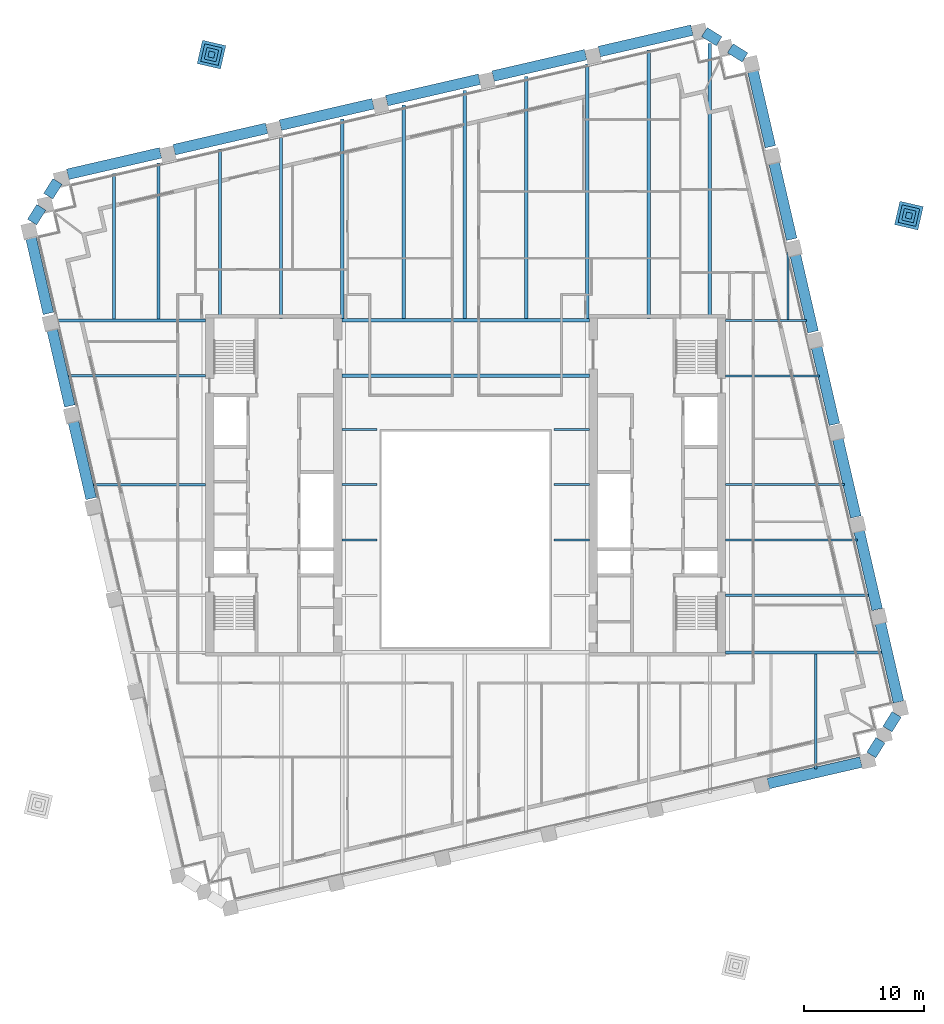
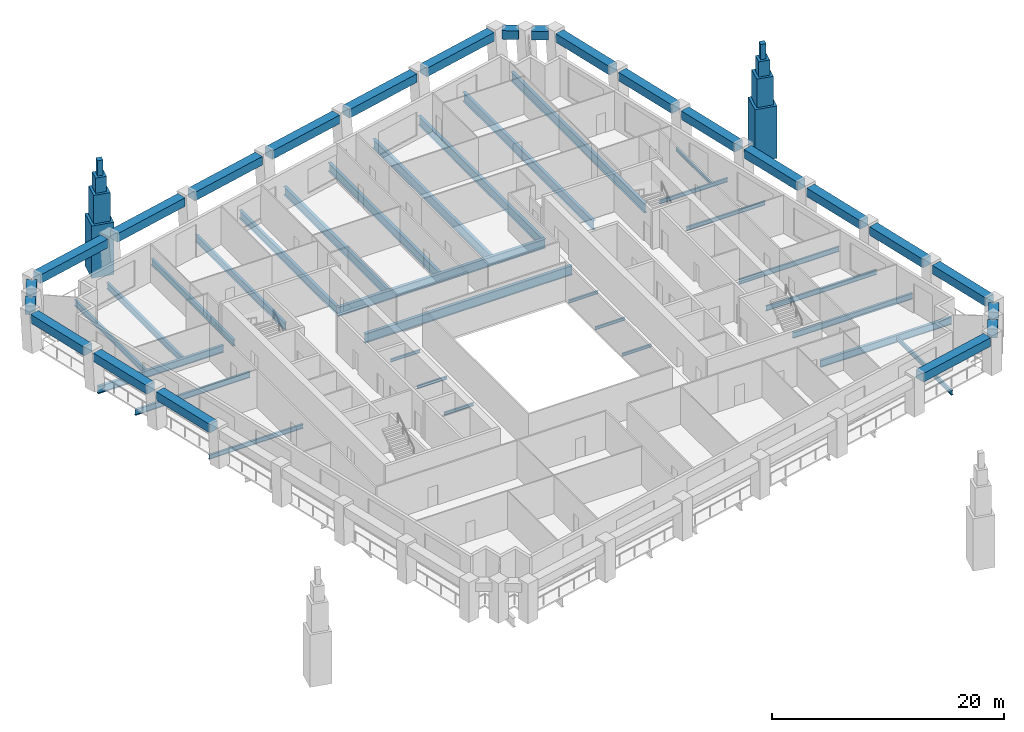
# One storey, part 2 of 10: 53 beams, 8 members.
"""IFC4 building model written with IfcOpenShell, lengths in metres."""

from ifc_helpers import new_model, si_unit, direction, frame, origin, origin_2d, place, context, subcontext, project, spatial, rectangle, i_section, extrude, material, material_profile, profile_set, type_object, element, save


model = new_model("IFC4")

# Units and contexts
model_context = context("Model", 3, precision=1e-05, world=origin(), true_north=direction((0.0, 1.0)))
body_context = subcontext(model_context, "Body", "Model", "MODEL_VIEW")
ifc_project = project(units=[si_unit("LENGTHUNIT", "METRE"), si_unit("AREAUNIT", "SQUARE_METRE"), si_unit("VOLUMEUNIT", "CUBIC_METRE"), si_unit("PLANEANGLEUNIT", "RADIAN"), si_unit("MASSUNIT", "GRAM", prefix="KILO")], contexts=[model_context])

# Site, building, storey
site_placement = place(None, origin())
site = spatial("IfcSite", under=ifc_project, at=site_placement, CompositionType="ELEMENT")
building_placement = place(site_placement, origin())
building = spatial("IfcBuilding", under=site, at=building_placement, Name="Ogive Exchange Tower", CompositionType="ELEMENT")
storey_placement = place(building_placement, frame((0.0, 0.0, 171.60009765625)))
storey = spatial("IfcBuildingStorey", under=building, at=storey_placement, Name="L37", CompositionType="ELEMENT", Elevation=171.60009765625)

# Beams
ifc_material_1 = material(Name="Steel ASTM A992 Gr50", Category="steel")
ifc_material_profile_1 = material_profile(ifc_material_1, i_section(OverallWidth=0.300048828125, OverallDepth=0.969970703125, WebThickness=0.01611328125, FlangeThickness=0.02099609375, at=origin_2d()), Name="W1000x222")
ifc_profile_set_1 = profile_set([ifc_material_profile_1], Name="Steel ASTM A992 Gr50")
beam_type_1 = type_object("IfcBeamType", Name="Floor beam W1000x222", PredefinedType="JOIST", material=ifc_profile_set_1)
beam_1_placement = place(storey_placement, frame((5.052734375, 25.39501953125, -0.68505859375), z_axis=(0.0, 1.0, 0.0), x_axis=(-1.0, 0.0, 0.0)))
element("IfcBeam", 1, at=beam_1_placement, inside=storey, type_object=beam_type_1, Name="Floor beam", PredefinedType="JOIST", context=body_context, shape_type="SweptSolid", body=[
    extrude(i_section(OverallWidth=0.300048828125, OverallDepth=0.969970703125, WebThickness=0.01611328125, FlangeThickness=0.02099609375, at=origin_2d()), origin(), (0.0, 0.0, 1.0), 20.18994140625),
])
ifc_material_profile_2 = material_profile(ifc_material_1, i_section(OverallWidth=0.300048828125, OverallDepth=0.97998046875, WebThickness=0.0166015625, FlangeThickness=0.026123046875, at=origin_2d()), Name="W1000x249")
ifc_profile_set_2 = profile_set([ifc_material_profile_2], Name="Steel ASTM A992 Gr50")
beam_type_2 = type_object("IfcBeamType", Name="Floor beam W1000x249", PredefinedType="JOIST", material=ifc_profile_set_2)
beam_2_placement = place(storey_placement, frame((-10.320068359375, 20.62255859375, -0.690185546875), z_axis=(1.0, 0.0, 0.0), x_axis=(0.0, 1.0, 0.0)))
element("IfcBeam", 2, at=beam_2_placement, inside=storey, type_object=beam_type_2, Name="Floor beam", PredefinedType="JOIST", context=body_context, shape_type="SweptSolid", body=[
    extrude(i_section(OverallWidth=0.300048828125, OverallDepth=0.97998046875, WebThickness=0.0166015625, FlangeThickness=0.026123046875, at=origin_2d()), origin(), (0.0, 0.0, 1.0), 20.64013671875),
])
beam_3_placement = place(storey_placement, frame((10.162109375, 25.39501953125, -0.690185546875), z_axis=(0.0, 1.0, 0.0), x_axis=(-1.0, 0.0, 0.0)))
element("IfcBeam", 3, at=beam_3_placement, inside=storey, type_object=beam_type_2, Name="Floor beam", PredefinedType="JOIST", context=body_context, shape_type="SweptSolid", body=[
    extrude(i_section(OverallWidth=0.300048828125, OverallDepth=0.97998046875, WebThickness=0.0166015625, FlangeThickness=0.026123046875, at=origin_2d()), origin(), (0.0, 0.0, 1.0), 21.219482421875),
])
beam_4_placement = place(storey_placement, frame((15.271728515625, 25.39990234375, -0.690185546875), z_axis=(0.0, 1.0, 0.0), x_axis=(-1.0, 0.0, 0.0)))
element("IfcBeam", 4, at=beam_4_placement, inside=storey, type_object=beam_type_2, Name="Floor beam", PredefinedType="JOIST", context=body_context, shape_type="SweptSolid", body=[
    extrude(i_section(OverallWidth=0.300048828125, OverallDepth=0.97998046875, WebThickness=0.0166015625, FlangeThickness=0.026123046875, at=origin_2d()), origin(), (0.0, 0.0, 1.0), 22.394287109375),
])
beam_5_placement = place(storey_placement, frame((20.381103515625, 25.39990234375, -0.690185546875), z_axis=(0.0, 1.0, 0.0), x_axis=(-1.0, 0.0, 0.0)))
element("IfcBeam", 5, at=beam_5_placement, inside=storey, type_object=beam_type_2, Name="Floor beam", PredefinedType="JOIST", context=body_context, shape_type="SweptSolid", body=[
    extrude(i_section(OverallWidth=0.300048828125, OverallDepth=0.97998046875, WebThickness=0.0166015625, FlangeThickness=0.026123046875, at=origin_2d()), origin(), (0.0, 0.0, 1.0), 22.931884765625),
])
ifc_material_profile_3 = material_profile(ifc_material_1, i_section(OverallWidth=0.1650390625, OverallDepth=0.31005859375, WebThickness=0.005859375, FlangeThickness=0.009765625, at=origin_2d()), Name="W310x38.7")
ifc_profile_set_3 = profile_set([ifc_material_profile_3], Name="Steel ASTM A992 Gr50")
beam_type_3 = type_object("IfcBeamType", Name="Floor beam W310x38.7", PredefinedType="JOIST", material=ifc_profile_set_3)
for number, where, z_axis, x_axis, name in (
    (6, (-10.320068359375, 6.9326171875, -0.35498046875), (1.0, 0.0, 0.0), (0.0, 1.0, 0.0), "Floor beam"),
    (7, (7.3701171875, 6.9326171875, -0.35498046875), (1.0, 0.0, 0.0), (0.0, 1.0, 0.0), "Floor beam"),
    (8, (-10.320068359375, 11.543701171875, -0.35498046875), (1.0, 0.0, 0.0), (0.0, 1.0, 0.0), "Floor beam"),
    (9, (7.3701171875, 11.543701171875, -0.35498046875), (1.0, 0.0, 0.0), (0.0, 1.0, 0.0), "Floor beam"),
):
    element("IfcBeam", number, at=place(storey_placement, frame(where, z_axis=z_axis, x_axis=x_axis)), inside=storey, type_object=beam_type_3, Name=name, PredefinedType="JOIST", context=body_context, shape_type="SweptSolid", body=[
        extrude(i_section(OverallWidth=0.1650390625, OverallDepth=0.31005859375, WebThickness=0.005859375, FlangeThickness=0.009765625, at=origin_2d()), origin(), (0.0, 0.0, 1.0), 2.949951171875),
    ])
beam_6_placement = place(storey_placement, frame((26.890625, 25.333984375, -0.35498046875), z_axis=(0.0, 1.0, 0.0), x_axis=(-1.0, 0.0, 0.0)))
element("IfcBeam", 10, at=beam_6_placement, inside=storey, type_object=beam_type_3, Name="Floor beam", PredefinedType="JOIST", context=body_context, shape_type="SweptSolid", body=[
    extrude(i_section(OverallWidth=0.1650390625, OverallDepth=0.31005859375, WebThickness=0.005859375, FlangeThickness=0.009765625, at=origin_2d()), origin(), (0.0, 0.0, 1.0), 6.052734375),
])
ifc_material_profile_4 = material_profile(ifc_material_1, i_section(OverallWidth=0.177978515625, OverallDepth=0.406005859375, WebThickness=0.0078125, FlangeThickness=0.0126953125, at=origin_2d()), Name="W410x60")
ifc_profile_set_4 = profile_set([ifc_material_profile_4], Name="Steel ASTM A992 Gr50")
beam_type_4 = type_object("IfcBeamType", Name="Floor beam W410x60", PredefinedType="JOIST", material=ifc_profile_set_4)
beam_7_placement = place(storey_placement, frame((21.679931640625, 20.62255859375, -0.403076171875), z_axis=(1.0, 0.0, 0.0), x_axis=(0.0, 1.0, 0.0)))
element("IfcBeam", 11, at=beam_7_placement, inside=storey, type_object=beam_type_4, Name="Floor beam", PredefinedType="JOIST", context=body_context, shape_type="SweptSolid", body=[
    extrude(i_section(OverallWidth=0.177978515625, OverallDepth=0.406005859375, WebThickness=0.0078125, FlangeThickness=0.0126953125, at=origin_2d()), origin(), (0.0, 0.0, 1.0), 7.845703125),
])
ifc_material_profile_5 = material_profile(ifc_material_1, i_section(OverallWidth=0.19091796875, OverallDepth=0.45703125, WebThickness=0.009033203125, FlangeThickness=0.014404296875, at=origin_2d()), Name="W460x74")
ifc_profile_set_5 = profile_set([ifc_material_profile_5], Name="Steel ASTM A992 Gr50")
beam_type_5 = type_object("IfcBeamType", Name="Floor beam W460x74", PredefinedType="JOIST", material=ifc_profile_set_5)
beam_8_placement = place(storey_placement, frame((-31.0302734375, 11.543701171875, -0.4287109375), z_axis=(1.0, 0.0, 0.0), x_axis=(0.0, 1.0, 0.0)))
element("IfcBeam", 12, at=beam_8_placement, inside=storey, type_object=beam_type_5, Name="Floor beam", PredefinedType="JOIST", context=body_context, shape_type="SweptSolid", body=[
    extrude(i_section(OverallWidth=0.19091796875, OverallDepth=0.45703125, WebThickness=0.009033203125, FlangeThickness=0.014404296875, at=origin_2d()), origin(), (0.0, 0.0, 1.0), 9.350341796875),
])
beam_9_placement = place(storey_placement, frame((29.199951171875, -12.15966796875, -0.4287109375), z_axis=(0.0, 1.0, 0.0), x_axis=(-1.0, 0.0, 0.0)))
element("IfcBeam", 13, at=beam_9_placement, inside=storey, type_object=beam_type_5, Name="Floor beam", PredefinedType="JOIST", context=body_context, shape_type="SweptSolid", body=[
    extrude(i_section(OverallWidth=0.19091796875, OverallDepth=0.45703125, WebThickness=0.009033203125, FlangeThickness=0.014404296875, at=origin_2d()), origin(), (0.0, 0.0, 1.0), 9.5810546875),
])
ifc_material_profile_6 = material_profile(ifc_material_1, i_section(OverallWidth=0.1669921875, OverallDepth=0.535888671875, WebThickness=0.01025390625, FlangeThickness=0.0166015625, at=origin_2d()), Name="W530x85")
ifc_profile_set_6 = profile_set([ifc_material_profile_6], Name="Steel ASTM A992 Gr50")
beam_type_6 = type_object("IfcBeamType", Name="Floor beam W530x85", PredefinedType="JOIST", material=ifc_profile_set_6)
beam_10_placement = place(storey_placement, frame((21.679931640625, 6.9326171875, -0.468017578125), z_axis=(1.0, 0.0, 0.0), x_axis=(0.0, 1.0, 0.0)))
element("IfcBeam", 14, at=beam_10_placement, inside=storey, type_object=beam_type_6, Name="Floor beam", PredefinedType="JOIST", context=body_context, shape_type="SweptSolid", body=[
    extrude(i_section(OverallWidth=0.1669921875, OverallDepth=0.535888671875, WebThickness=0.01025390625, FlangeThickness=0.0166015625, at=origin_2d()), origin(), (0.0, 0.0, 1.0), 11.00634765625),
])
beam_11_placement = place(storey_placement, frame((21.679931640625, 11.543701171875, -0.468017578125), z_axis=(1.0, 0.0, 0.0), x_axis=(0.0, 1.0, 0.0)))
element("IfcBeam", 15, at=beam_11_placement, inside=storey, type_object=beam_type_6, Name="Floor beam", PredefinedType="JOIST", context=body_context, shape_type="SweptSolid", body=[
    extrude(i_section(OverallWidth=0.1669921875, OverallDepth=0.535888671875, WebThickness=0.01025390625, FlangeThickness=0.0166015625, at=origin_2d()), origin(), (0.0, 0.0, 1.0), 9.941650390625),
])
ifc_material_profile_7 = material_profile(ifc_material_1, i_section(OverallWidth=0.22802734375, OverallDepth=0.60205078125, WebThickness=0.010498046875, FlangeThickness=0.014892578125, at=origin_2d()), Name="W610x101")
ifc_profile_set_7 = profile_set([ifc_material_profile_7], Name="Steel ASTM A992 Gr50")
beam_type_7 = type_object("IfcBeamType", Name="Floor beam W610x101", PredefinedType="JOIST", material=ifc_profile_set_7)
beam_12_placement = place(storey_placement, frame((21.679931640625, 2.3212890625, -0.5009765625), z_axis=(1.0, 0.0, 0.0), x_axis=(0.0, 1.0, 0.0)))
element("IfcBeam", 16, at=beam_12_placement, inside=storey, type_object=beam_type_7, Name="Floor beam", PredefinedType="JOIST", context=body_context, shape_type="SweptSolid", body=[
    extrude(i_section(OverallWidth=0.22802734375, OverallDepth=0.60205078125, WebThickness=0.010498046875, FlangeThickness=0.014892578125, at=origin_2d()), origin(), (0.0, 0.0, 1.0), 11.9208984375),
])
beam_13_placement = place(storey_placement, frame((-33.126220703125, 20.62255859375, -0.5009765625), z_axis=(1.0, 0.0, 0.0), x_axis=(0.0, 1.0, 0.0)))
element("IfcBeam", 17, at=beam_13_placement, inside=storey, type_object=beam_type_7, Name="Floor beam", PredefinedType="JOIST", context=body_context, shape_type="SweptSolid", body=[
    extrude(i_section(OverallWidth=0.22802734375, OverallDepth=0.60205078125, WebThickness=0.010498046875, FlangeThickness=0.014892578125, at=origin_2d()), origin(), (0.0, 0.0, 1.0), 11.4462890625),
])
beam_14_placement = place(storey_placement, frame((-29.3134765625, 25.37841796875, -0.5009765625), z_axis=(0.0, 1.0, 0.0), x_axis=(-1.0, 0.0, 0.0)))
element("IfcBeam", 18, at=beam_14_placement, inside=storey, type_object=beam_type_7, Name="Floor beam", PredefinedType="JOIST", context=body_context, shape_type="SweptSolid", body=[
    extrude(i_section(OverallWidth=0.22802734375, OverallDepth=0.60205078125, WebThickness=0.010498046875, FlangeThickness=0.014892578125, at=origin_2d()), origin(), (0.0, 0.0, 1.0), 12.12255859375),
])
ifc_material_profile_8 = material_profile(ifc_material_1, i_section(OverallWidth=0.25390625, OverallDepth=0.677978515625, WebThickness=0.01171875, FlangeThickness=0.016357421875, at=origin_2d()), Name="W690x125")
ifc_profile_set_8 = profile_set([ifc_material_profile_8], Name="Steel ASTM A992 Gr50")
beam_type_8 = type_object("IfcBeamType", Name="Floor beam W690x125", PredefinedType="JOIST", material=ifc_profile_set_8)
beam_15_placement = place(storey_placement, frame((-25.60400390625, 25.37841796875, -0.5390625), z_axis=(0.0, 1.0, 0.0), x_axis=(-1.0, 0.0, 0.0)))
element("IfcBeam", 19, at=beam_15_placement, inside=storey, type_object=beam_type_8, Name="Floor beam", PredefinedType="JOIST", context=body_context, shape_type="SweptSolid", body=[
    extrude(i_section(OverallWidth=0.25390625, OverallDepth=0.677978515625, WebThickness=0.01171875, FlangeThickness=0.016357421875, at=origin_2d()), origin(), (0.0, 0.0, 1.0), 12.97900390625),
])
beam_16_placement = place(storey_placement, frame((-20.494384765625, 25.39990234375, -0.5390625), z_axis=(0.0, 1.0, 0.0), x_axis=(-1.0, 0.0, 0.0)))
element("IfcBeam", 20, at=beam_16_placement, inside=storey, type_object=beam_type_8, Name="Floor beam", PredefinedType="JOIST", context=body_context, shape_type="SweptSolid", body=[
    extrude(i_section(OverallWidth=0.25390625, OverallDepth=0.677978515625, WebThickness=0.01171875, FlangeThickness=0.016357421875, at=origin_2d()), origin(), (0.0, 0.0, 1.0), 14.136962890625),
])
ifc_material_profile_9 = material_profile(ifc_material_1, i_section(OverallWidth=0.26708984375, OverallDepth=0.75390625, WebThickness=0.01318359375, FlangeThickness=0.01708984375, at=origin_2d()), Name="W760x147")
ifc_profile_set_9 = profile_set([ifc_material_profile_9], Name="Steel ASTM A992 Gr50")
beam_type_9 = type_object("IfcBeamType", Name="Floor beam W760x147", PredefinedType="JOIST", material=ifc_profile_set_9)
beam_17_placement = place(storey_placement, frame((-15.385009765625, 25.39990234375, -0.5771484375), z_axis=(0.0, 1.0, 0.0), x_axis=(-1.0, 0.0, 0.0)))
element("IfcBeam", 21, at=beam_17_placement, inside=storey, type_object=beam_type_9, Name="Floor beam", PredefinedType="JOIST", context=body_context, shape_type="SweptSolid", body=[
    extrude(i_section(OverallWidth=0.26708984375, OverallDepth=0.75390625, WebThickness=0.01318359375, FlangeThickness=0.01708984375, at=origin_2d()), origin(), (0.0, 0.0, 1.0), 15.316650390625),
])
ifc_material_profile_10 = material_profile(ifc_material_1, i_section(OverallWidth=0.2919921875, OverallDepth=0.8359375, WebThickness=0.013916015625, FlangeThickness=0.018798828125, at=origin_2d()), Name="W840x176")
ifc_profile_set_10 = profile_set([ifc_material_profile_10], Name="Steel ASTM A992 Gr50")
beam_type_10 = type_object("IfcBeamType", Name="Floor beam W840x176", PredefinedType="JOIST", material=ifc_profile_set_10)
beam_18_placement = place(storey_placement, frame((-10.275634765625, 25.39501953125, -0.6181640625), z_axis=(0.0, 1.0, 0.0), x_axis=(-1.0, 0.0, 0.0)))
element("IfcBeam", 22, at=beam_18_placement, inside=storey, type_object=beam_type_10, Name="Floor beam", PredefinedType="JOIST", context=body_context, shape_type="SweptSolid", body=[
    extrude(i_section(OverallWidth=0.2919921875, OverallDepth=0.8359375, WebThickness=0.013916015625, FlangeThickness=0.018798828125, at=origin_2d()), origin(), (0.0, 0.0, 1.0), 16.651123046875),
])
ifc_material_profile_11 = material_profile(ifc_material_1, i_section(OverallWidth=0.304931640625, OverallDepth=0.904052734375, WebThickness=0.01513671875, FlangeThickness=0.02001953125, at=origin_2d()), Name="W920x201")
ifc_profile_set_11 = profile_set([ifc_material_profile_11], Name="Steel ASTM A992 Gr50")
beam_type_11 = type_object("IfcBeamType", Name="Floor beam W920x201", PredefinedType="JOIST", material=ifc_profile_set_11)
beam_19_placement = place(storey_placement, frame((-5.166259765625, 25.39501953125, -0.652099609375), z_axis=(0.0, 1.0, 0.0), x_axis=(-1.0, 0.0, 0.0)))
element("IfcBeam", 23, at=beam_19_placement, inside=storey, type_object=beam_type_11, Name="Floor beam", PredefinedType="JOIST", context=body_context, shape_type="SweptSolid", body=[
    extrude(i_section(OverallWidth=0.304931640625, OverallDepth=0.904052734375, WebThickness=0.01513671875, FlangeThickness=0.02001953125, at=origin_2d()), origin(), (0.0, 0.0, 1.0), 17.83056640625),
])
ifc_material_profile_12 = material_profile(ifc_material_1, i_section(OverallWidth=0.304931640625, OverallDepth=0.9189453125, WebThickness=0.017333984375, FlangeThickness=0.02783203125, at=origin_2d()), Name="W920x253")
ifc_profile_set_12 = profile_set([ifc_material_profile_12], Name="Steel ASTM A992 Gr50")
beam_type_12 = type_object("IfcBeamType", Name="Floor beam W920x253", PredefinedType="JOIST", material=ifc_profile_set_12)
beam_20_placement = place(storey_placement, frame((-0.056640625, 25.39501953125, -0.65966796875), z_axis=(0.0, 1.0, 0.0), x_axis=(-1.0, 0.0, 0.0)))
element("IfcBeam", 24, at=beam_20_placement, inside=storey, type_object=beam_type_12, Name="Floor beam", PredefinedType="JOIST", context=body_context, shape_type="SweptSolid", body=[
    extrude(i_section(OverallWidth=0.304931640625, OverallDepth=0.9189453125, WebThickness=0.017333984375, FlangeThickness=0.02783203125, at=origin_2d()), origin(), (0.0, 0.0, 1.0), 19.01025390625),
])
ifc_material_profile_13 = material_profile(ifc_material_1, i_section(OverallWidth=0.300048828125, OverallDepth=0.97998046875, WebThickness=0.0166015625, FlangeThickness=0.026123046875, at=origin_2d()), Name="W1000x249")
ifc_profile_set_13 = profile_set([ifc_material_profile_13], Name="Steel ASTM A992 Gr50")
beam_type_13 = type_object("IfcBeamType", Name="Girder W1000x249", PredefinedType="BEAM", material=ifc_profile_set_13)
beam_21_placement = place(storey_placement, frame((-10.320068359375, 25.2451171875, -0.690185546875), z_axis=(1.0, 0.0, 0.0), x_axis=(0.0, 1.0, 0.0)))
element("IfcBeam", 25, at=beam_21_placement, inside=storey, type_object=beam_type_13, Name="Header girder", PredefinedType="BEAM", context=body_context, shape_type="SweptSolid", body=[
    extrude(i_section(OverallWidth=0.300048828125, OverallDepth=0.97998046875, WebThickness=0.0166015625, FlangeThickness=0.026123046875, at=origin_2d()), origin(), (0.0, 0.0, 1.0), 20.64013671875),
])
ifc_material_profile_14 = material_profile(ifc_material_1, i_section(OverallWidth=0.1650390625, OverallDepth=0.31005859375, WebThickness=0.005859375, FlangeThickness=0.009765625, at=origin_2d()), Name="W310x38.7")
ifc_profile_set_14 = profile_set([ifc_material_profile_14], Name="Steel ASTM A992 Gr50")
beam_type_14 = type_object("IfcBeamType", Name="Girder W310x38.7", PredefinedType="BEAM", material=ifc_profile_set_14)
for number, where, z_axis, x_axis, name in (
    (26, (-10.320068359375, 16.155029296875, -0.35498046875), (1.0, 0.0, 0.0), (0.0, 1.0, 0.0), "Trimmer girder"),
    (27, (7.3701171875, 16.155029296875, -0.35498046875), (1.0, 0.0, 0.0), (0.0, 1.0, 0.0), "Trimmer girder"),
):
    element("IfcBeam", number, at=place(storey_placement, frame(where, z_axis=z_axis, x_axis=x_axis)), inside=storey, type_object=beam_type_14, Name=name, PredefinedType="BEAM", context=body_context, shape_type="SweptSolid", body=[
        extrude(i_section(OverallWidth=0.1650390625, OverallDepth=0.31005859375, WebThickness=0.005859375, FlangeThickness=0.009765625, at=origin_2d()), origin(), (0.0, 0.0, 1.0), 2.949951171875),
    ])
ifc_material_profile_15 = material_profile(ifc_material_1, i_section(OverallWidth=0.177978515625, OverallDepth=0.406005859375, WebThickness=0.0078125, FlangeThickness=0.0126953125, at=origin_2d()), Name="W410x60")
ifc_profile_set_15 = profile_set([ifc_material_profile_15], Name="Steel ASTM A992 Gr50")
beam_type_15 = type_object("IfcBeamType", Name="Girder W410x60", PredefinedType="BEAM", material=ifc_profile_set_15)
beam_22_placement = place(storey_placement, frame((21.679931640625, 25.2451171875, -0.403076171875), z_axis=(1.0, 0.0, 0.0), x_axis=(0.0, 1.0, 0.0)))
element("IfcBeam", 28, at=beam_22_placement, inside=storey, type_object=beam_type_15, Name="Header girder", PredefinedType="BEAM", context=body_context, shape_type="SweptSolid", body=[
    extrude(i_section(OverallWidth=0.177978515625, OverallDepth=0.406005859375, WebThickness=0.0078125, FlangeThickness=0.0126953125, at=origin_2d()), origin(), (0.0, 0.0, 1.0), 6.778564453125),
])
ifc_material_profile_16 = material_profile(ifc_material_1, i_section(OverallWidth=0.26708984375, OverallDepth=0.75390625, WebThickness=0.01318359375, FlangeThickness=0.01708984375, at=origin_2d()), Name="W760x147")
ifc_profile_set_16 = profile_set([ifc_material_profile_16], Name="Steel ASTM A992 Gr50")
beam_type_16 = type_object("IfcBeamType", Name="Girder W760x147", PredefinedType="BEAM", material=ifc_profile_set_16)
beam_23_placement = place(storey_placement, frame((21.679931640625, -2.445068359375, -0.5771484375), z_axis=(1.0, 0.0, 0.0), x_axis=(0.0, 1.0, 0.0)))
element("IfcBeam", 29, at=beam_23_placement, inside=storey, type_object=beam_type_16, Name="Header girder", PredefinedType="BEAM", context=body_context, shape_type="SweptSolid", body=[
    extrude(i_section(OverallWidth=0.26708984375, OverallDepth=0.75390625, WebThickness=0.01318359375, FlangeThickness=0.01708984375, at=origin_2d()), origin(), (0.0, 0.0, 1.0), 13.021484375),
])
beam_24_placement = place(storey_placement, frame((-34.193359375, 25.2451171875, -0.5771484375), z_axis=(1.0, 0.0, 0.0), x_axis=(0.0, 1.0, 0.0)))
element("IfcBeam", 30, at=beam_24_placement, inside=storey, type_object=beam_type_16, Name="Header girder", PredefinedType="BEAM", context=body_context, shape_type="SweptSolid", body=[
    extrude(i_section(OverallWidth=0.26708984375, OverallDepth=0.75390625, WebThickness=0.01318359375, FlangeThickness=0.01708984375, at=origin_2d()), origin(), (0.0, 0.0, 1.0), 12.513427734375),
])

# Members
ifc_material_2 = material(Name="Precast concrete C50/60", Category="concrete")
ifc_material_profile_17 = material_profile(ifc_material_2, rectangle(XDim=2.0, YDim=2.0, at=origin_2d()), Name="PINNACLE 1 2000 x 2000")
ifc_profile_set_17 = profile_set([ifc_material_profile_17], Name="Precast concrete C50/60")
member_type_1 = type_object("IfcMemberType", Name="Precast pinnacle stage 1 2000 x 2000 C50/60", PredefinedType="USERDEFINED", material=ifc_profile_set_17)
for number, where, z_axis, x_axis, name in (
    (31, (36.98095703125, 33.986083984375, -6.0), (0.0, 0.0, 1.0), (0.974370064785, -0.224951054344, 0.0), "Head pinnacle 2-2"),
    (32, (-21.18896484375, 47.4150390625, -6.0), (0.0, 0.0, 1.0), (0.974370064785, -0.224951054344, 0.0), "Head pinnacle 2-3"),
):
    element("IfcMember", number, at=place(storey_placement, frame(where, z_axis=z_axis, x_axis=x_axis)), inside=storey, type_object=member_type_1, Name=name, ObjectType="PINNACLE", PredefinedType="USERDEFINED", context=body_context, shape_type="SweptSolid", body=[
        extrude(rectangle(XDim=2.0, YDim=2.0, at=origin_2d()), origin(), (0.0, 0.0, 1.0), 5.5),
    ])
ifc_material_profile_18 = material_profile(ifc_material_2, rectangle(XDim=1.5, YDim=1.5, at=origin_2d()), Name="PINNACLE 2 1500 x 1500")
ifc_profile_set_18 = profile_set([ifc_material_profile_18], Name="Precast concrete C50/60")
member_type_2 = type_object("IfcMemberType", Name="Precast pinnacle stage 2 1500 x 1500 C50/60", PredefinedType="USERDEFINED", material=ifc_profile_set_18)
for number, where, z_axis, x_axis, name in (
    (33, (36.98095703125, 33.986083984375, -0.5), (0.0, 0.0, 1.0), (0.974370064785, -0.224951054344, 0.0), "Head pinnacle 2-2 stage 2"),
    (34, (-21.18896484375, 47.4150390625, -0.5), (0.0, 0.0, 1.0), (0.974370064785, -0.224951054344, 0.0), "Head pinnacle 2-3 stage 2"),
):
    element("IfcMember", number, at=place(storey_placement, frame(where, z_axis=z_axis, x_axis=x_axis)), inside=storey, type_object=member_type_2, Name=name, ObjectType="PINNACLE", PredefinedType="USERDEFINED", context=body_context, shape_type="SweptSolid", body=[
        extrude(rectangle(XDim=1.5, YDim=1.5, at=origin_2d()), origin(), (0.0, 0.0, 1.0), 3.0),
    ])
ifc_material_profile_19 = material_profile(ifc_material_2, rectangle(XDim=1.0, YDim=1.0, at=origin_2d()), Name="PINNACLE 3 1000 x 1000")
ifc_profile_set_19 = profile_set([ifc_material_profile_19], Name="Precast concrete C50/60")
member_type_3 = type_object("IfcMemberType", Name="Precast pinnacle stage 3 1000 x 1000 C50/60", PredefinedType="USERDEFINED", material=ifc_profile_set_19)
for number, where, z_axis, x_axis, name in (
    (35, (36.98095703125, 33.986083984375, 2.5), (0.0, 0.0, 1.0), (0.974370064785, -0.224951054344, 0.0), "Head pinnacle 2-2 stage 3"),
    (36, (-21.18896484375, 47.4150390625, 2.5), (0.0, 0.0, 1.0), (0.974370064785, -0.224951054344, 0.0), "Head pinnacle 2-3 stage 3"),
):
    element("IfcMember", number, at=place(storey_placement, frame(where, z_axis=z_axis, x_axis=x_axis)), inside=storey, type_object=member_type_3, Name=name, ObjectType="PINNACLE", PredefinedType="USERDEFINED", context=body_context, shape_type="SweptSolid", body=[
        extrude(rectangle(XDim=1.0, YDim=1.0, at=origin_2d()), origin(), (0.0, 0.0, 1.0), 1.599853515625),
    ])
ifc_material_profile_20 = material_profile(ifc_material_2, rectangle(XDim=0.5, YDim=0.5, at=origin_2d()), Name="PINNACLE 4 500 x 500")
ifc_profile_set_20 = profile_set([ifc_material_profile_20], Name="Precast concrete C50/60")
member_type_4 = type_object("IfcMemberType", Name="Precast pinnacle stage 4 500 x 500 C50/60", PredefinedType="USERDEFINED", material=ifc_profile_set_20)
for number, where, z_axis, x_axis, name in (
    (37, (36.98095703125, 33.986083984375, 4.099853515625), (0.0, 0.0, 1.0), (0.974370064785, -0.224951054344, 0.0), "Head pinnacle 2-2 stage 4"),
    (38, (-21.18896484375, 47.4150390625, 4.099853515625), (0.0, 0.0, 1.0), (0.974370064785, -0.224951054344, 0.0), "Head pinnacle 2-3 stage 4"),
):
    element("IfcMember", number, at=place(storey_placement, frame(where, z_axis=z_axis, x_axis=x_axis)), inside=storey, type_object=member_type_4, Name=name, ObjectType="PINNACLE", PredefinedType="USERDEFINED", context=body_context, shape_type="SweptSolid", body=[
        extrude(rectangle(XDim=0.5, YDim=0.5, at=origin_2d()), origin(), (0.0, 0.0, 1.0), 1.60009765625),
    ])

# Beams
ifc_material_3 = material(Name="Precast concrete C70/85 (limestone faced)", Category="masonry")
ifc_material_profile_21 = material_profile(ifc_material_3, rectangle(XDim=0.89990234375, YDim=0.89990234375, at=origin_2d()), Name="900 x 900")
ifc_profile_set_21 = profile_set([ifc_material_profile_21], Name="Precast concrete C70/85 (limestone faced)")
beam_type_17 = type_object("IfcBeamType", Name="Precast spandrel 900 x 900 C70/85", PredefinedType="SPANDREL", material=ifc_profile_set_21)
beam_25_placement = place(storey_placement, frame((25.249755859375, -13.383544921875, 3.5), z_axis=(0.974368388194, 0.224958316335, 0.0), x_axis=(-0.224958316335, 0.974368388194, 0.0)))
element("IfcBeam", 39, at=beam_25_placement, inside=storey, type_object=beam_type_17, Name="Spandrel 6", PredefinedType="SPANDREL", context=body_context, shape_type="SweptSolid", body=[
    extrude(rectangle(XDim=0.89990234375, YDim=0.89990234375, at=origin_2d()), origin(), (0.0, 0.0, 1.0), 7.93994140625),
])
for number, where, z_axis, x_axis, name in (
    (40, (33.842041015625, -11.001708984375, 3.5), (0.529877740036, 0.848074041941, 0.0), (-0.848074041941, 0.529877740036, 0.0), "Spandrel 7"),
    (41, (35.19091796875, -8.843017578125, 3.5), (0.529877740036, 0.848074041941, 0.0), (-0.848074041941, 0.529877740036, 0.0), "Spandrel 8"),
):
    element("IfcBeam", number, at=place(storey_placement, frame(where, z_axis=z_axis, x_axis=x_axis)), inside=storey, type_object=beam_type_17, Name=name, PredefinedType="SPANDREL", context=body_context, shape_type="SweptSolid", body=[
        extrude(rectangle(XDim=0.89990234375, YDim=0.89990234375, at=origin_2d()), origin(), (0.0, 0.0, 1.0), 1.448486328125),
    ])
for number, where, z_axis, x_axis, name in (
    (42, (36.11865234375, -6.584228515625, 3.5), (-0.224954426706, 0.974369286208, 0.0), (-0.974369286208, -0.224954426706, 0.0), "Spandrel 9"),
    (43, (34.336669921875, 1.13525390625, 3.5), (-0.224988701801, 0.974361372419, 0.0), (-0.974361372419, -0.224988701801, 0.0), "Spandrel 10"),
    (44, (32.554443359375, 8.8544921875, 3.5), (-0.224954426706, 0.974369286208, 0.0), (-0.974369286208, -0.224954426706, 0.0), "Spandrel 11"),
    (45, (30.772216796875, 16.573974609375, 3.5), (-0.224954426706, 0.974369286208, 0.0), (-0.974369286208, -0.224954426706, 0.0), "Spandrel 12"),
    (46, (28.989990234375, 24.29345703125, 3.5), (-0.224920150775, 0.97437719892, 0.0), (-0.97437719892, -0.224920150775, 0.0), "Spandrel 13"),
    (47, (27.2080078125, 32.0126953125, 3.5), (-0.224954426706, 0.974369286208, 0.0), (-0.974369286208, -0.224954426706, 0.0), "Spandrel 14"),
    (48, (25.42578125, 39.732177734375, 3.5), (-0.224954426706, 0.974369286208, 0.0), (-0.974369286208, -0.224954426706, 0.0), "Spandrel 15"),
):
    element("IfcBeam", number, at=place(storey_placement, frame(where, z_axis=z_axis, x_axis=x_axis)), inside=storey, type_object=beam_type_17, Name=name, PredefinedType="SPANDREL", context=body_context, shape_type="SweptSolid", body=[
        extrude(rectangle(XDim=0.89990234375, YDim=0.89990234375, at=origin_2d()), origin(), (0.0, 0.0, 1.0), 6.762451171875),
    ])
for number, where, z_axis, x_axis, name in (
    (49, (23.308837890625, 47.177001953125, 3.5), (-0.848026711821, 0.529953484787, 0.0), (-0.529953484787, -0.848026711821, 0.0), "Spandrel 16"),
    (50, (21.150146484375, 48.526123046875, 3.5), (-0.848074041941, 0.529877740036, 0.0), (-0.529877740036, -0.848074041941, 0.0), "Spandrel 17"),
):
    element("IfcBeam", number, at=place(storey_placement, frame(where, z_axis=z_axis, x_axis=x_axis)), inside=storey, type_object=beam_type_17, Name=name, PredefinedType="SPANDREL", context=body_context, shape_type="SweptSolid", body=[
        extrude(rectangle(XDim=0.89990234375, YDim=0.89990234375, at=origin_2d()), origin(), (0.0, 0.0, 1.0), 1.448486328125),
    ])
for number, where, z_axis, x_axis, name in (
    (51, (18.891357421875, 49.453857421875, 3.5), (-0.974369944206, -0.224951576629, 0.0), (0.224951576629, -0.974369944206, 0.0), "Spandrel 18"),
    (52, (10.024658203125, 47.40673828125, 3.5), (-0.974369944206, -0.224951576629, 0.0), (0.224951576629, -0.974369944206, 0.0), "Spandrel 19"),
):
    element("IfcBeam", number, at=place(storey_placement, frame(where, z_axis=z_axis, x_axis=x_axis)), inside=storey, type_object=beam_type_17, Name=name, PredefinedType="SPANDREL", context=body_context, shape_type="SweptSolid", body=[
        extrude(rectangle(XDim=0.89990234375, YDim=0.89990234375, at=origin_2d()), origin(), (0.0, 0.0, 1.0), 7.940185546875),
    ])
for number, where, z_axis, x_axis, name in (
    (53, (1.15771484375, 45.35986328125, 3.5), (-0.974368388194, -0.224958316335, 0.0), (0.224958316335, -0.974368388194, 0.0), "Spandrel 20"),
    (54, (-7.708984375, 43.312744140625, 3.5), (-0.974368388194, -0.224958316335, 0.0), (0.224958316335, -0.974368388194, 0.0), "Spandrel 21"),
):
    element("IfcBeam", number, at=place(storey_placement, frame(where, z_axis=z_axis, x_axis=x_axis)), inside=storey, type_object=beam_type_17, Name=name, PredefinedType="SPANDREL", context=body_context, shape_type="SweptSolid", body=[
        extrude(rectangle(XDim=0.89990234375, YDim=0.89990234375, at=origin_2d()), origin(), (0.0, 0.0, 1.0), 7.93994140625),
    ])
beam_26_placement = place(storey_placement, frame((-16.57568359375, 41.265625, 3.5), z_axis=(-0.974369944206, -0.224951576629, 0.0), x_axis=(0.224951576629, -0.974369944206, 0.0)))
element("IfcBeam", 55, at=beam_26_placement, inside=storey, type_object=beam_type_17, Name="Spandrel 22", PredefinedType="SPANDREL", context=body_context, shape_type="SweptSolid", body=[
    extrude(rectangle(XDim=0.89990234375, YDim=0.89990234375, at=origin_2d()), origin(), (0.0, 0.0, 1.0), 7.940185546875),
])
beam_27_placement = place(storey_placement, frame((-25.4423828125, 39.218505859375, 3.5), z_axis=(-0.974376683324, -0.224922384377, 0.0), x_axis=(0.224922384377, -0.974376683324, 0.0)))
element("IfcBeam", 56, at=beam_27_placement, inside=storey, type_object=beam_type_17, Name="Spandrel 23", PredefinedType="SPANDREL", context=body_context, shape_type="SweptSolid", body=[
    extrude(rectangle(XDim=0.89990234375, YDim=0.89990234375, at=origin_2d()), origin(), (0.0, 0.0, 1.0), 7.93994140625),
])
for number, where, z_axis, x_axis, name in (
    (57, (-34.034912109375, 36.8369140625, 3.5), (-0.529877740036, -0.848074041941, 0.0), (0.848074041941, -0.529877740036, 0.0), "Spandrel 24"),
    (58, (-35.3837890625, 34.677978515625, 3.5), (-0.529953484787, -0.848026711821, 0.0), (0.848026711821, -0.529953484787, 0.0), "Spandrel 25"),
):
    element("IfcBeam", number, at=place(storey_placement, frame(where, z_axis=z_axis, x_axis=x_axis)), inside=storey, type_object=beam_type_17, Name=name, PredefinedType="SPANDREL", context=body_context, shape_type="SweptSolid", body=[
        extrude(rectangle(XDim=0.89990234375, YDim=0.89990234375, at=origin_2d()), origin(), (0.0, 0.0, 1.0), 1.448486328125),
    ])
beam_28_placement = place(storey_placement, frame((-36.3115234375, 32.41943359375, 3.5), z_axis=(0.224946513726, -0.974371113058, 0.0), x_axis=(0.974371113058, 0.224946513726, 0.0)))
element("IfcBeam", 59, at=beam_28_placement, inside=storey, type_object=beam_type_17, Name="Spandrel 26", PredefinedType="SPANDREL", context=body_context, shape_type="SweptSolid", body=[
    extrude(rectangle(XDim=0.89990234375, YDim=0.89990234375, at=origin_2d()), origin(), (0.0, 0.0, 1.0), 6.7626953125),
])
beam_29_placement = place(storey_placement, frame((-34.529296875, 24.699951171875, 3.5), z_axis=(0.224920150775, -0.97437719892, 0.0), x_axis=(0.97437719892, 0.224920150775, 0.0)))
element("IfcBeam", 60, at=beam_29_placement, inside=storey, type_object=beam_type_17, Name="Spandrel 27", PredefinedType="SPANDREL", context=body_context, shape_type="SweptSolid", body=[
    extrude(rectangle(XDim=0.89990234375, YDim=0.89990234375, at=origin_2d()), origin(), (0.0, 0.0, 1.0), 6.762451171875),
])
beam_30_placement = place(storey_placement, frame((-32.747314453125, 16.980712890625, 3.5), z_axis=(0.224946513726, -0.974371113058, 0.0), x_axis=(0.974371113058, 0.224946513726, 0.0)))
element("IfcBeam", 61, at=beam_30_placement, inside=storey, type_object=beam_type_17, Name="Spandrel 28", PredefinedType="SPANDREL", context=body_context, shape_type="SweptSolid", body=[
    extrude(rectangle(XDim=0.89990234375, YDim=0.89990234375, at=origin_2d()), origin(), (0.0, 0.0, 1.0), 6.7626953125),
])

save(model, "model.ifc")
